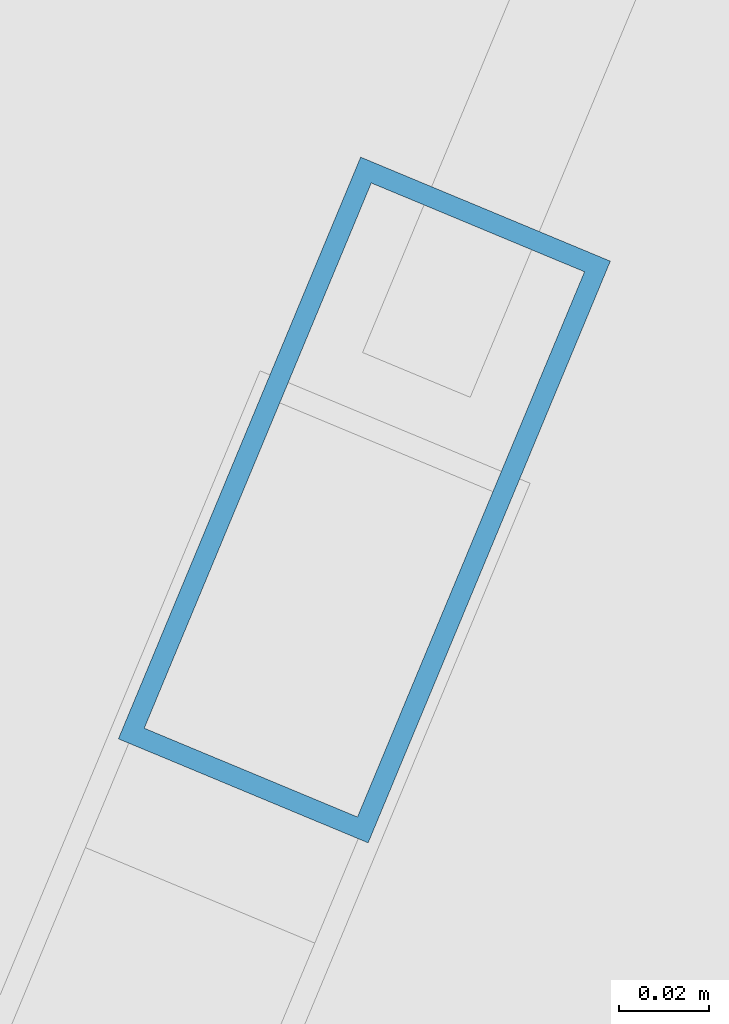
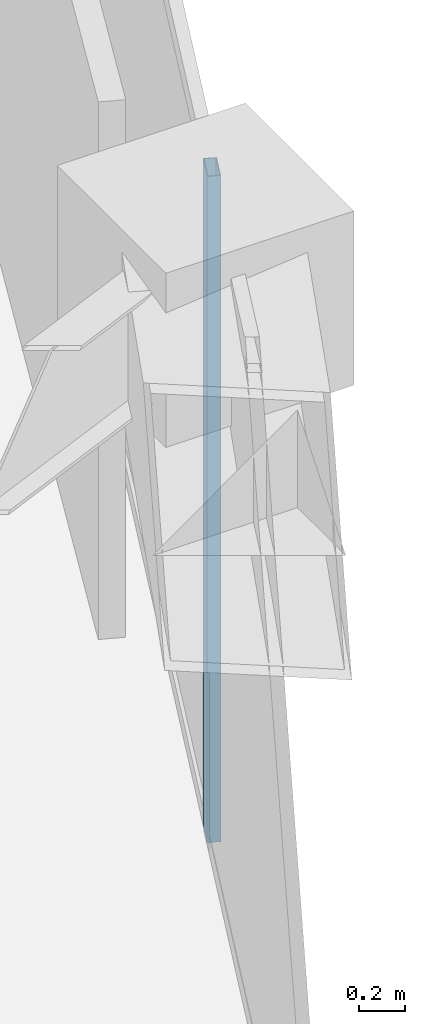
# One storey, part 12 of 19: 1 member, 1 element without a shape of its own.
"""IFC4 building model written with IfcOpenShell, lengths in metres."""

from ifc_helpers import new_model, si_unit, direction, frame, origin, origin_2d, place, context, subcontext, project, spatial, hollow_rectangle, extrude, material, layer, layer_set, material_profile, profile_set, type_object, element, aggregate, save


model = new_model("IFC4")

# Units and contexts
model_context = context("Model", 3, precision=1e-05, world=origin(), true_north=direction((0.0, 1.0)))
body_context = subcontext(model_context, "Body", "Model", "MODEL_VIEW")
ifc_project = project(units=[si_unit("LENGTHUNIT", "METRE"), si_unit("AREAUNIT", "SQUARE_METRE"), si_unit("VOLUMEUNIT", "CUBIC_METRE"), si_unit("PLANEANGLEUNIT", "RADIAN"), si_unit("MASSUNIT", "GRAM", prefix="KILO")], contexts=[model_context])

# Site, building, storey
site_placement = place(None, origin())
site = spatial("IfcSite", under=ifc_project, at=site_placement, CompositionType="ELEMENT")
building_placement = place(site_placement, origin())
building = spatial("IfcBuilding", under=site, at=building_placement, Name="Qianvela Tower", CompositionType="ELEMENT")
storey_placement = place(building_placement, frame((0.0, 0.0, 333.300048828125)))
storey = spatial("IfcBuildingStorey", under=building, at=storey_placement, Name="L86", CompositionType="ELEMENT", Elevation=333.300048828125)

# Curtain wall, member
ifc_material_1 = material(Name="Anodised Architectural Aluminium and Low-E Glass", Category="aluminium")
ifc_layer = layer(ifc_material_1, 0.14990234375)
ifc_layer_set = layer_set([ifc_layer], Name="Anodised Architectural Aluminium and Low-E Glass")
curtain_wall_type = type_object("IfcCurtainWallType", Name="CW-COLIV-Z78", PredefinedType="USERDEFINED", material=ifc_layer_set)
curtain_wall_placement = place(storey_placement, origin())
curtain_wall = element("IfcCurtainWall", 1, at=curtain_wall_placement, inside=storey, type_object=curtain_wall_type, Name="L86 CW-COLIV-Z78 Curtain Wall 06C", ObjectType="CURTAIN_WALL_SYSTEM", PredefinedType="USERDEFINED")
ifc_material_2 = material(Name="Anodised Architectural Aluminium 6063-T6", Category="aluminium")
ifc_material_profile = material_profile(ifc_material_2, hollow_rectangle(XDim=0.06005859375, YDim=0.139892578125, WallThickness=0.00439453125, at=origin_2d()), Name="ALU-MULL-60x140")
ifc_profile_set = profile_set([ifc_material_profile], Name="Anodised Architectural Aluminium 6063-T6")
member_type = type_object("IfcMemberType", Name="CW-COLIV-Z78-MULL", PredefinedType="MULLION", material=ifc_profile_set)
member_placement = place(storey_placement, frame((48.332275390625, 24.917724609375, 0.0), z_axis=(0.0, 0.0, 1.0), x_axis=(-0.923160579175, 0.384414548446, 0.0)))
member = element("IfcMember", 2, at=member_placement, type_object=member_type, Name="CW-6 mullion 1", PredefinedType="MULLION", context=body_context, shape_type="SweptSolid", body=[
    extrude(hollow_rectangle(XDim=0.06005859375, YDim=0.139892578125, WallThickness=0.00439453125, at=origin_2d()), origin(), (0.0, 0.0, 1.0), 3.52001953125),
])
aggregate(curtain_wall, [member])

save(model, "model.ifc")
